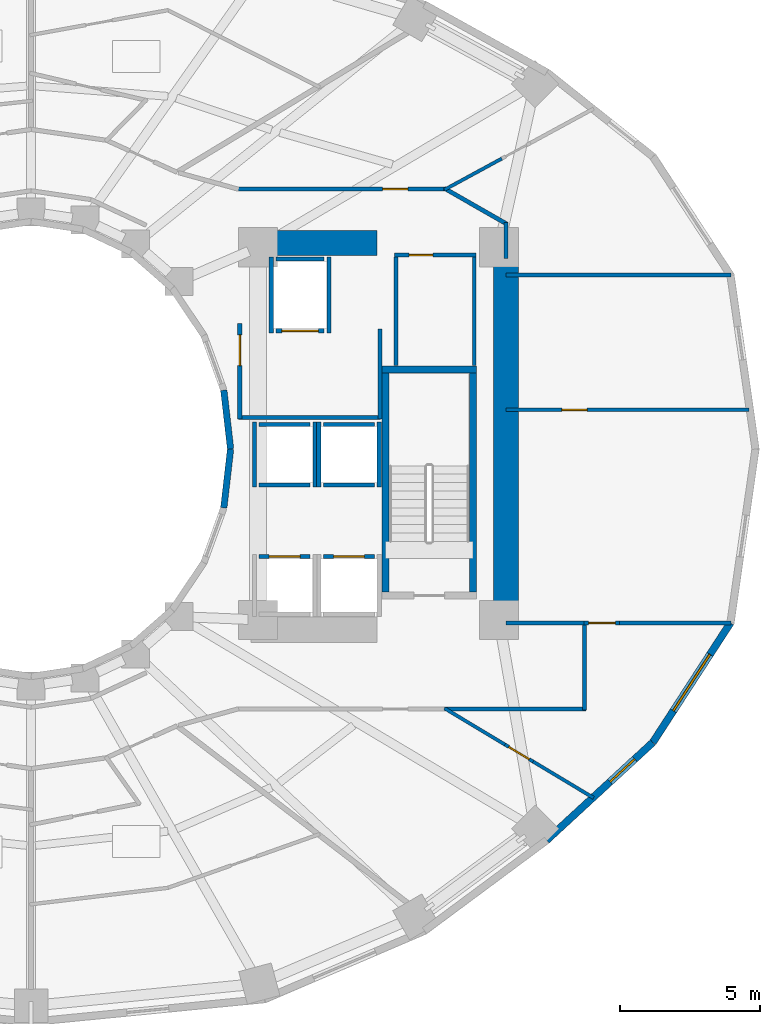
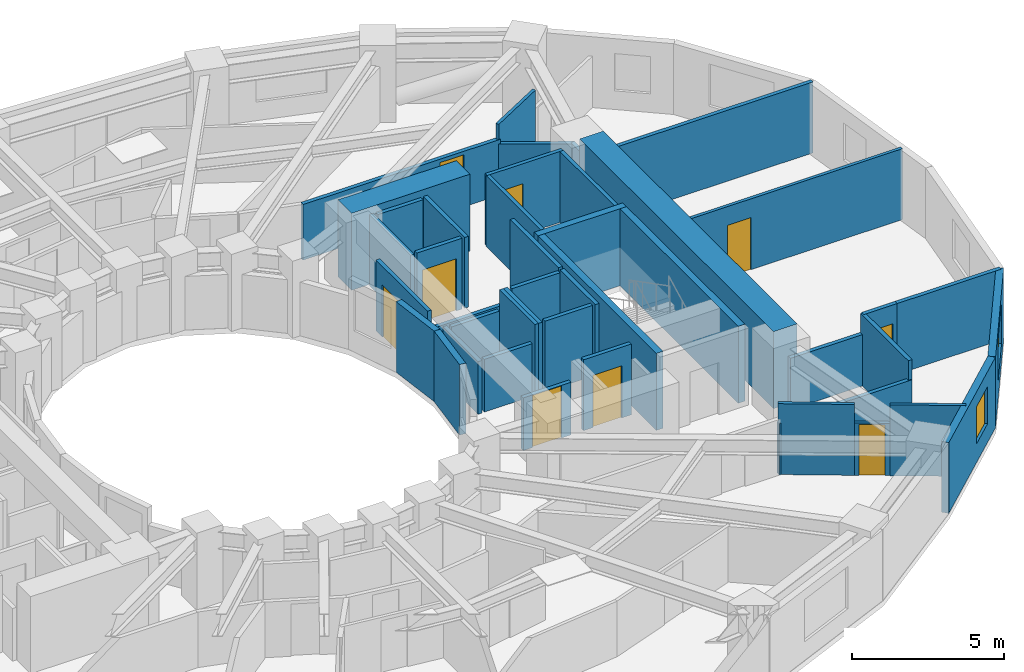
# One storey, part 6 of 10: 43 walls, 9 doors, 2 windows, 11 openings.
"""IFC4 building model written with IfcOpenShell, lengths in metres."""

from ifc_helpers import new_model, si_unit, direction, frame, frame_2d, origin, place, context, subcontext, project, spatial, rectangle, extrude, material, layer, layer_set, type_object, element, fill, save


model = new_model("IFC4")

# Units and contexts
model_context = context("Model", 3, precision=1e-05, world=origin(), true_north=direction((0.0, 1.0)))
body_context = subcontext(model_context, "Body", "Model", "MODEL_VIEW")
ifc_project = project(units=[si_unit("LENGTHUNIT", "METRE"), si_unit("AREAUNIT", "SQUARE_METRE"), si_unit("VOLUMEUNIT", "CUBIC_METRE"), si_unit("PLANEANGLEUNIT", "RADIAN"), si_unit("MASSUNIT", "GRAM", prefix="KILO")], contexts=[model_context])

# Site, building, storey
site_placement = place(None, origin())
site = spatial("IfcSite", under=ifc_project, at=site_placement, CompositionType="ELEMENT")
building_placement = place(site_placement, origin())
building = spatial("IfcBuilding", under=site, at=building_placement, Name="Solvane Sanctuary Tower", CompositionType="ELEMENT")
storey_placement = place(building_placement, frame((0.0, 0.0, 58.60009765625)))
storey = spatial("IfcBuildingStorey", under=building, at=storey_placement, Name="L17", CompositionType="ELEMENT", Elevation=58.60009765625)

# Walls
ifc_material_1 = material(Name="Concrete C70/85", Category="concrete")
ifc_layer_1 = layer(ifc_material_1, 0.89990234375, Name="Concrete C70/85")
ifc_layer_set_1 = layer_set([ifc_layer_1], Name="Concrete C70/85")
wall_type_1 = type_object("IfcWallType", Name="Wall W-CORE-900", PredefinedType="SHEAR", material=ifc_layer_set_1)
wall_1_placement = place(storey_placement, frame((48.949951171875, 17.050048828125, 0.0), z_axis=(0.0, 0.0, 1.0), x_axis=(0.0, 1.0, 0.0)))
element("IfcWall", 1, at=wall_1_placement, inside=storey, type_object=wall_type_1, Name="L17 Core Shear Wall EC-E", PredefinedType="SHEAR", context=body_context, shape_type="SweptSolid", body=[
    extrude(rectangle(XDim=12.800048828125, YDim=0.89990234375, at=frame_2d((6.39990234375, 0.0))), origin(), (0.0, 0.0, 1.0), 3.099853515625),
])
wall_2_placement = place(storey_placement, frame((39.85009765625, 30.35009765625, 0.0), z_axis=(0.0, 0.0, 1.0), x_axis=(1.0, 0.0, 0.0)))
element("IfcWall", 2, at=wall_2_placement, inside=storey, type_object=wall_type_1, Name="L17 Core Shear Wall EC-N", PredefinedType="SHEAR", context=body_context, shape_type="SweptSolid", body=[
    extrude(rectangle(XDim=4.5, YDim=0.89990234375, at=frame_2d((2.25, 0.0))), origin(), (0.0, 0.0, 1.0), 3.099853515625),
])
ifc_material_2 = material(Name="Acoustic Gypsum Partition Board")
ifc_layer_2 = layer(ifc_material_2, 0.14990234375, Name="Acoustic Gypsum Partition Board")
ifc_layer_set_2 = layer_set([ifc_layer_2], Name="Acoustic Gypsum Partition Board")
wall_type_2 = type_object("IfcWallType", Name="Wall W-CORR-150", PredefinedType="PARTITIONING", material=ifc_layer_set_2)
wall_3_placement = place(storey_placement, frame((39.39990234375, 24.1201171875, 0.0), z_axis=(0.0, 0.0, 1.0), x_axis=(1.0, 0.0, 0.0)))
element("IfcWall", 3, at=wall_3_placement, inside=storey, type_object=wall_type_2, Name="L17 East Firefighting Lobby South Wall", PredefinedType="PARTITIONING", context=body_context, shape_type="SweptSolid", body=[
    extrude(rectangle(XDim=5.080078125, YDim=0.14990234375, at=frame_2d((2.5400390625, 0.0))), origin(), (0.0, 0.0, 1.0), 2.119873046875),
])
wall_4_placement = place(storey_placement, frame((44.449951171875, 24.080078125, 0.0), z_axis=(0.0, 0.0, 1.0), x_axis=(0.0, 1.0, 0.0)))
element("IfcWall", 4, at=wall_4_placement, inside=storey, type_object=wall_type_2, Name="L17 East Firefighting Lobby East Wall", PredefinedType="PARTITIONING", context=body_context, shape_type="SweptSolid", body=[
    extrude(rectangle(XDim=3.199951171875, YDim=0.14990234375, at=frame_2d((1.60009765625, 0.0))), origin(), (0.0, 0.0, 1.0), 2.85498046875),
])

# Wall, opening, door
wall_5_placement = place(storey_placement, frame((39.449951171875, 24.080078125, 0.0), z_axis=(0.0, 0.0, 1.0), x_axis=(0.0, 1.0, 0.0)))
wall_5 = element("IfcWall", 5, at=wall_5_placement, inside=storey, type_object=wall_type_2, Name="L17 East Firefighting Lobby West Wall", PredefinedType="PARTITIONING", context=body_context, shape_type="SweptSolid", body=[
    extrude(rectangle(XDim=3.39990234375, YDim=0.14990234375, at=frame_2d((1.699951171875, 0.0))), origin(), (0.0, 0.0, 1.0), 2.85498046875),
])
opening_1_placement = place(wall_5_placement, frame((1.893798828125, 0.0, 0.0)))
opening_1 = element("IfcOpeningElement", 6, at=opening_1_placement, cuts=wall_5, Name="Opening D-L17-07", PredefinedType="OPENING", context=body_context, shape_type="SweptSolid", body=[
    extrude(rectangle(XDim=1.10009765625, YDim=2.10009765625, at=frame_2d((0.550048828125, 1.050048828125))), frame((0.0, 0.0849609375, 0.0), z_axis=(0.0, -1.0, 0.0), x_axis=(1.0, 0.0, 0.0)), (0.0, 0.0, 1.0), 0.169921875),
])
ifc_material_3 = material(Name="Architectural Stainless Steel 316", Category="steel")
door_type_1 = type_object("IfcDoorType", Name="Door D-FFL", OperationType="NOTDEFINED", PredefinedType="DOOR", material=ifc_material_3)
door_1_placement = place(opening_1_placement, origin())
door_1 = element("IfcDoor", 7, at=door_1_placement, inside=storey, type_object=door_type_1, Name="L17 East Firefighting Lobby Fire Door", OperationType="SINGLE_SWING_RIGHT", OverallHeight=2.10009765625, OverallWidth=1.10009765625, PredefinedType="DOOR", context=body_context, shape_type="SweptSolid", body=[
    extrude(rectangle(XDim=1.10009765625, YDim=2.10009765625, at=frame_2d((0.550048828125, 1.050048828125))), frame((0.0, 0.02490234375, 0.0), z_axis=(0.0, -1.0, 0.0), x_axis=(1.0, 0.0, 0.0)), (0.0, 0.0, 1.0), 0.050048828125),
])
fill(opening_1, door_1)

# Wall
wall_6_placement = place(storey_placement, frame((48.949951171875, 16.788330078125, 0.0), z_axis=(0.0, 0.0, 1.0), x_axis=(1.0, 0.0, 0.0)))
element("IfcWall", 8, at=wall_6_placement, inside=storey, type_object=wall_type_2, Name="L17 East Shoulder South Wall", PredefinedType="PARTITIONING", context=body_context, shape_type="SweptSolid", body=[
    extrude(rectangle(XDim=2.79296875, YDim=0.14990234375, at=frame_2d((1.396484375, 0.0))), origin(), (0.0, 0.0, 1.0), 2.06884765625),
])

# Wall, opening, door
wall_7_placement = place(storey_placement, frame((51.742919921875, 16.788330078125, 0.0), z_axis=(0.0, 0.0, 1.0), x_axis=(1.0, 0.0, 0.0)))
wall_7 = element("IfcWall", 9, at=wall_7_placement, inside=storey, type_object=wall_type_2, Name="L17 East Shoulder South Wall", PredefinedType="PARTITIONING", context=body_context, shape_type="SweptSolid", body=[
    extrude(rectangle(XDim=1.27001953125, YDim=0.14990234375, at=frame_2d((0.635009765625, 0.0))), origin(), (0.0, 0.0, 1.0), 2.85498046875),
])
opening_2_placement = place(wall_7_placement, frame((0.159912109375, 0.0, 0.0)))
opening_2 = element("IfcOpeningElement", 10, at=opening_2_placement, cuts=wall_7, Name="Opening D-L17-10", PredefinedType="OPENING", context=body_context, shape_type="SweptSolid", body=[
    extrude(rectangle(XDim=0.949951171875, YDim=2.10009765625, at=frame_2d((0.47509765625, 1.050048828125))), frame((0.0, 0.0849609375, 0.0), z_axis=(0.0, -1.0, 0.0), x_axis=(1.0, 0.0, 0.0)), (0.0, 0.0, 1.0), 0.169921875),
])
ifc_material_4 = material(Name="Engineered Tropical Hardwood", Category="wood")
door_type_2 = type_object("IfcDoorType", Name="Door D-ROOM-950", OperationType="NOTDEFINED", PredefinedType="DOOR", material=ifc_material_4)
door_2_placement = place(opening_2_placement, origin())
door_2 = element("IfcDoor", 11, at=door_2_placement, inside=storey, type_object=door_type_2, Name="L17 East Shoulder South Door", OperationType="SINGLE_SWING_LEFT", OverallHeight=2.10009765625, OverallWidth=0.949951171875, PredefinedType="DOOR", context=body_context, shape_type="SweptSolid", body=[
    extrude(rectangle(XDim=0.949951171875, YDim=2.10009765625, at=frame_2d((0.47509765625, 1.050048828125))), frame((0.0, 0.02490234375, 0.0), z_axis=(0.0, -1.0, 0.0), x_axis=(1.0, 0.0, 0.0)), (0.0, 0.0, 1.0), 0.050048828125),
])
fill(opening_2, door_2)

# Walls
wall_8_placement = place(storey_placement, frame((53.012939453125, 16.788330078125, 0.0), z_axis=(0.0, 0.0, 1.0), x_axis=(1.0, 0.0, 0.0)))
element("IfcWall", 12, at=wall_8_placement, inside=storey, type_object=wall_type_2, Name="L17 East Shoulder South Wall", PredefinedType="PARTITIONING", context=body_context, shape_type="SweptSolid", body=[
    extrude(rectangle(XDim=3.973388671875, YDim=0.14990234375, at=frame_2d((1.98681640625, 0.0))), origin(), (0.0, 0.0, 1.0), 2.85498046875),
])
wall_9_placement = place(storey_placement, frame((48.949951171875, 29.211669921875, 0.0), z_axis=(0.0, 0.0, 1.0), x_axis=(1.0, 0.0, 0.0)))
element("IfcWall", 13, at=wall_9_placement, inside=storey, type_object=wall_type_2, Name="L17 East Shoulder North Wall", PredefinedType="PARTITIONING", context=body_context, shape_type="SweptSolid", body=[
    extrude(rectangle(XDim=8.036376953125, YDim=0.14990234375, at=frame_2d((4.01806640625, 0.0))), origin(), (0.0, 0.0, 1.0), 2.85498046875),
])
wall_10_placement = place(storey_placement, frame((48.949951171875, 29.800048828125, 0.0), z_axis=(0.0, 0.0, 1.0), x_axis=(0.0, 1.0, 0.0)))
element("IfcWall", 14, at=wall_10_placement, inside=storey, type_object=wall_type_2, Name="L17 NE Corner Closer 1", PredefinedType="PARTITIONING", context=body_context, shape_type="SweptSolid", body=[
    extrude(rectangle(XDim=1.2900390625, YDim=0.14990234375, at=frame_2d((0.64501953125, 0.0))), origin(), (0.0, 0.0, 1.0), 2.06884765625),
])

# Wall, opening, door
wall_11_placement = place(storey_placement, frame((39.330078125, 32.280029296875, 0.0), z_axis=(0.0, 0.0, 1.0), x_axis=(1.0, 0.0, 0.0)))
wall_11 = element("IfcWall", 15, at=wall_11_placement, inside=storey, type_object=wall_type_2, Name="L17 NE Corner Corridor Wall", PredefinedType="PARTITIONING", context=body_context, shape_type="SweptSolid", body=[
    extrude(rectangle(XDim=7.52001953125, YDim=0.14990234375, at=frame_2d((3.760009765625, 0.0))), origin(), (0.0, 0.0, 1.0), 2.23681640625),
])
opening_3_placement = place(wall_11_placement, frame((5.219970703125, 0.0, 0.0)))
opening_3 = element("IfcOpeningElement", 16, at=opening_3_placement, cuts=wall_11, Name="Opening D-L17-14", PredefinedType="OPENING", context=body_context, shape_type="SweptSolid", body=[
    extrude(rectangle(XDim=0.89990234375, YDim=2.10009765625, at=frame_2d((0.449951171875, 1.050048828125))), frame((0.0, 0.0849609375, 0.0), z_axis=(0.0, -1.0, 0.0), x_axis=(1.0, 0.0, 0.0)), (0.0, 0.0, 1.0), 0.169921875),
])
door_type_3 = type_object("IfcDoorType", Name="Door D-WET-900", OperationType="NOTDEFINED", PredefinedType="DOOR", material=ifc_material_4)
door_3_placement = place(opening_3_placement, origin())
door_3 = element("IfcDoor", 17, at=door_3_placement, inside=storey, type_object=door_type_3, Name="L17 NE Corner Salon Door", OperationType="SINGLE_SWING_LEFT", OverallHeight=2.10009765625, OverallWidth=0.89990234375, PredefinedType="DOOR", context=body_context, shape_type="SweptSolid", body=[
    extrude(rectangle(XDim=0.89990234375, YDim=2.10009765625, at=frame_2d((0.449951171875, 1.050048828125))), frame((0.0, 0.02490234375, 0.0), z_axis=(0.0, -1.0, 0.0), x_axis=(1.0, 0.0, 0.0)), (0.0, 0.0, 1.0), 0.050048828125),
])
fill(opening_3, door_3)

# Walls
wall_12_placement = place(storey_placement, frame((46.756591796875, 32.3046875, 0.0), z_axis=(0.0, 0.0, 1.0), x_axis=(0.867991349648, -0.496579315857, 0.0)))
element("IfcWall", 18, at=wall_12_placement, inside=storey, type_object=wall_type_2, Name="L17 NE Corner Wing Wall", PredefinedType="PARTITIONING", context=body_context, shape_type="SweptSolid", body=[
    extrude(rectangle(XDim=2.56689453125, YDim=0.14990234375, at=frame_2d((1.283447265625, 0.0))), origin(), (0.0, 0.0, 1.0), 2.06884765625),
])
wall_13_placement = place(storey_placement, frame((51.760009765625, 13.679931640625, 0.0), z_axis=(0.0, 0.0, 1.0), x_axis=(0.0, 1.0, 0.0)))
element("IfcWall", 19, at=wall_13_placement, inside=storey, type_object=wall_type_2, Name="L17 SE Corner Closer 1", PredefinedType="PARTITIONING", context=body_context, shape_type="SweptSolid", body=[
    extrude(rectangle(XDim=3.1484375, YDim=0.14990234375, at=frame_2d((1.57421875, 0.0))), origin(), (0.0, 0.0, 1.0), 2.85498046875),
])
wall_14_placement = place(storey_placement, frame((46.75, 13.719970703125, 0.0), z_axis=(0.0, 0.0, 1.0), x_axis=(1.0, 0.0, 0.0)))
element("IfcWall", 20, at=wall_14_placement, inside=storey, type_object=wall_type_2, Name="L17 SE Corner Wing Wall", PredefinedType="PARTITIONING", context=body_context, shape_type="SweptSolid", body=[
    extrude(rectangle(XDim=5.050048828125, YDim=0.14990234375, at=frame_2d((2.52490234375, 0.0))), origin(), (0.0, 0.0, 1.0), 2.06884765625),
])

# Wall, opening, window
ifc_material_5 = material(Name="Precast concrete C40/50", Category="concrete")
ifc_layer_3 = layer(ifc_material_5, 0.260009765625, Name="Precast concrete C40/50")
ifc_layer_set_3 = layer_set([ifc_layer_3], Name="Precast concrete C40/50")
wall_type_3 = type_object("IfcWallType", Name="Wall W-EXT-250", PredefinedType="STANDARD", material=ifc_layer_set_3)
wall_15_placement = place(storey_placement, frame((50.404541015625, 9.035400390625, 0.0), z_axis=(0.0, 0.0, 1.0), x_axis=(0.735655109293, 0.67735630223, 0.0)))
wall_15 = element("IfcWall", 21, at=wall_15_placement, inside=storey, type_object=wall_type_3, Name="L17 Ceramic-Printed Facade Wall 21", PredefinedType="STANDARD", context=body_context, shape_type="SweptSolid", body=[
    extrude(rectangle(XDim=5.15087890625, YDim=0.260009765625, at=frame_2d((2.575439453125, 0.0))), origin(), (0.0, 0.0, 1.0), 2.849853515625),
])
opening_4_placement = place(wall_15_placement, frame((3.073974609375, 0.0, 0.75)))
opening_4 = element("IfcOpeningElement", 22, at=opening_4_placement, cuts=wall_15, Name="Opening WN-OPER-1200", PredefinedType="OPENING", context=body_context, shape_type="SweptSolid", body=[
    extrude(rectangle(XDim=1.199951171875, YDim=1.5, at=frame_2d((0.60009765625, 0.75))), frame((0.0, 0.139892578125, 0.0), z_axis=(0.0, -1.0, 0.0), x_axis=(1.0, 0.0, 0.0)), (0.0, 0.0, 1.0), 0.280029296875),
])
ifc_material_6 = material(Name="Dark Ceramic-Fritted Low-E Glass", Category="glass")
window_type_1 = type_object("IfcWindowType", Name="Window WN-OPER-1200", PartitioningType="SINGLE_PANEL", PredefinedType="WINDOW", material=ifc_material_6)
window_1_placement = place(opening_4_placement, origin())
window_1 = element("IfcWindow", 23, at=window_1_placement, inside=storey, type_object=window_type_1, Name="L17 Operable Facade Window 21", OverallHeight=1.5, OverallWidth=1.199951171875, PartitioningType="SINGLE_PANEL", PredefinedType="WINDOW", context=body_context, shape_type="SweptSolid", body=[
    extrude(rectangle(XDim=1.199951171875, YDim=1.5, at=frame_2d((0.60009765625, 0.75))), frame((0.0, 0.030029296875, 0.0), z_axis=(0.0, -1.0, 0.0), x_axis=(1.0, 0.0, 0.0)), (0.0, 0.0, 1.0), 0.06005859375),
])
fill(opening_4, window_1)

wall_16_placement = place(storey_placement, frame((54.19384765625, 12.5244140625, 0.0), z_axis=(0.0, 0.0, 1.0), x_axis=(0.544578722263, 0.838709732421, 0.0)))
wall_16 = element("IfcWall", 24, at=wall_16_placement, inside=storey, type_object=wall_type_3, Name="L17 Ceramic-Printed Facade Wall 22", PredefinedType="STANDARD", context=body_context, shape_type="SweptSolid", body=[
    extrude(rectangle(XDim=5.091552734375, YDim=0.260009765625, at=frame_2d((2.5458984375, 0.0))), origin(), (0.0, 0.0, 1.0), 2.849853515625),
])
opening_5_placement = place(wall_16_placement, frame((1.345703125, 0.0, 0.75)))
opening_5 = element("IfcOpeningElement", 25, at=opening_5_placement, cuts=wall_16, Name="Opening WN-RIB-2400", PredefinedType="OPENING", context=body_context, shape_type="SweptSolid", body=[
    extrude(rectangle(XDim=2.39990234375, YDim=1.699951171875, at=frame_2d((1.199951171875, 0.85009765625))), frame((0.0, 0.139892578125, 0.0), z_axis=(0.0, -1.0, 0.0), x_axis=(1.0, 0.0, 0.0)), (0.0, 0.0, 1.0), 0.280029296875),
])
window_type_2 = type_object("IfcWindowType", Name="Window WN-RIB-2400", PartitioningType="SINGLE_PANEL", PredefinedType="WINDOW", material=ifc_material_6)
window_2_placement = place(opening_5_placement, origin())
window_2 = element("IfcWindow", 26, at=window_2_placement, inside=storey, type_object=window_type_2, Name="L17 Operable Facade Window 22", OverallHeight=1.699951171875, OverallWidth=2.39990234375, PartitioningType="SINGLE_PANEL", PredefinedType="WINDOW", context=body_context, shape_type="SweptSolid", body=[
    extrude(rectangle(XDim=2.39990234375, YDim=1.699951171875, at=frame_2d((1.199951171875, 0.85009765625))), frame((0.0, 0.030029296875, 0.0), z_axis=(0.0, -1.0, 0.0), x_axis=(1.0, 0.0, 0.0)), (0.0, 0.0, 1.0), 0.06005859375),
])
fill(opening_5, window_2)

# Walls
ifc_layer_4 = layer(ifc_material_5, 0.22998046875, Name="Precast concrete C40/50")
ifc_layer_set_4 = layer_set([ifc_layer_4], Name="Precast concrete C40/50")
wall_type_4 = type_object("IfcWallType", Name="Wall W-EXT-SP220", PredefinedType="STANDARD", material=ifc_layer_set_4)
for number, where, z_axis, x_axis, name in (
    (27, (39.1201171875, 23.0, 0.0), (0.0, 0.0, 1.0), (-0.114711713601, 0.993398823617, 0.0), "L17 Central Light-Well Wall 00"),
    (28, (38.87744140625, 20.8984375, 0.0), (0.0, 0.0, 1.0), (0.114711713601, 0.993398823617, 0.0), "L17 Central Light-Well Wall 23"),
):
    element("IfcWall", number, at=place(storey_placement, frame(where, z_axis=z_axis, x_axis=x_axis)), inside=storey, type_object=wall_type_4, Name=name, PredefinedType="STANDARD", context=body_context, shape_type="SweptSolid", body=[
        extrude(rectangle(XDim=2.115478515625, YDim=0.22998046875, at=frame_2d((1.0576171875, 0.0))), origin(), (0.0, 0.0, 1.0), 2.83984375),
    ])

# Wall, opening, door
ifc_layer_5 = layer(ifc_material_2, 0.1201171875, Name="Acoustic Gypsum Partition Board")
ifc_layer_set_5 = layer_set([ifc_layer_5], Name="Acoustic Gypsum Partition Board")
wall_type_5 = type_object("IfcWallType", Name="Wall W-MOV-100", PredefinedType="MOVABLE", material=ifc_layer_set_5)
wall_17_placement = place(storey_placement, frame((48.949951171875, 24.39990234375, 0.0), z_axis=(0.0, 0.0, 1.0), x_axis=(1.0, 0.0, 0.0)))
wall_17 = element("IfcWall", 29, at=wall_17_placement, inside=storey, type_object=wall_type_5, Name="L17 East Suite Partition", PredefinedType="MOVABLE", context=body_context, shape_type="SweptSolid", body=[
    extrude(rectangle(XDim=8.668701171875, YDim=0.1201171875, at=frame_2d((4.33447265625, 0.0))), origin(), (0.0, 0.0, 1.0), 2.85498046875),
])
opening_6_placement = place(wall_17_placement, frame((2.0, 0.0, 0.0)))
opening_6 = element("IfcOpeningElement", 30, at=opening_6_placement, cuts=wall_17, Name="Opening D-L17-11", PredefinedType="OPENING", context=body_context, shape_type="SweptSolid", body=[
    extrude(rectangle(XDim=0.89990234375, YDim=2.10009765625, at=frame_2d((0.449951171875, 1.050048828125))), frame((0.0, 0.070068359375, 0.0), z_axis=(0.0, -1.0, 0.0), x_axis=(1.0, 0.0, 0.0)), (0.0, 0.0, 1.0), 0.14013671875),
])
door_4_placement = place(opening_6_placement, origin())
door_4 = element("IfcDoor", 31, at=door_4_placement, inside=storey, type_object=door_type_3, Name="L17 East Suite Internal Door", OperationType="SINGLE_SWING_RIGHT", OverallHeight=2.10009765625, OverallWidth=0.89990234375, PredefinedType="DOOR", context=body_context, shape_type="SweptSolid", body=[
    extrude(rectangle(XDim=0.89990234375, YDim=2.10009765625, at=frame_2d((0.449951171875, 1.050048828125))), frame((0.0, 0.02490234375, 0.0), z_axis=(0.0, -1.0, 0.0), x_axis=(1.0, 0.0, 0.0)), (0.0, 0.0, 1.0), 0.050048828125),
])
fill(opening_6, door_4)

# Walls
wall_18_placement = place(storey_placement, frame((46.756103515625, 32.256103515625, 0.0), z_axis=(0.0, 0.0, 1.0), x_axis=(0.878580476603, 0.477594332181, 0.0)))
element("IfcWall", 32, at=wall_18_placement, inside=storey, type_object=wall_type_5, Name="L17 NE Corner Suite Partition", PredefinedType="MOVABLE", context=body_context, shape_type="SweptSolid", body=[
    extrude(rectangle(XDim=2.326416015625, YDim=0.1201171875, at=frame_2d((1.1630859375, 0.0))), origin(), (0.0, 0.0, 1.0), 2.85498046875),
])
wall_19_placement = place(storey_placement, frame((46.757080078125, 13.745849609375, 0.0), z_axis=(0.0, 0.0, 1.0), x_axis=(0.856885623316, -0.515506574696, 0.0)))
element("IfcWall", 33, at=wall_19_placement, inside=storey, type_object=wall_type_5, Name="L17 SE Corner Suite Partition", PredefinedType="MOVABLE", context=body_context, shape_type="SweptSolid", body=[
    extrude(rectangle(XDim=2.52099609375, YDim=0.1201171875, at=frame_2d((1.260498046875, 0.0))), origin(), (0.0, 0.0, 1.0), 2.85498046875),
])

# Wall, opening, door
wall_20_placement = place(storey_placement, frame((48.917236328125, 12.4462890625, 0.0), z_axis=(0.0, 0.0, 1.0), x_axis=(0.856958544896, -0.515385343534, 0.0)))
wall_20 = element("IfcWall", 34, at=wall_20_placement, inside=storey, type_object=wall_type_5, Name="L17 SE Corner Suite Partition", PredefinedType="MOVABLE", context=body_context, shape_type="SweptSolid", body=[
    extrude(rectangle(XDim=1.170166015625, YDim=0.1201171875, at=frame_2d((0.5849609375, 0.0))), origin(), (0.0, 0.0, 1.0), 2.10986328125),
])
opening_7_placement = place(wall_20_placement, frame((0.159912109375, 0.0, 0.0)))
opening_7 = element("IfcOpeningElement", 35, at=opening_7_placement, cuts=wall_20, Name="Opening D-L17-18", PredefinedType="OPENING", context=body_context, shape_type="SweptSolid", body=[
    extrude(rectangle(XDim=0.85009765625, YDim=2.050048828125, at=frame_2d((0.425048828125, 1.02490234375))), frame((0.0, 0.070068359375, 0.0), z_axis=(0.0, -1.0, 0.0), x_axis=(1.0, 0.0, 0.0)), (0.0, 0.0, 1.0), 0.14013671875),
])
door_type_4 = type_object("IfcDoorType", Name="Door D-RISER", OperationType="NOTDEFINED", PredefinedType="DOOR", material=ifc_material_3)
door_5_placement = place(opening_7_placement, origin())
door_5 = element("IfcDoor", 36, at=door_5_placement, inside=storey, type_object=door_type_4, Name="L17 SE Corner Suite Door", OperationType="SINGLE_SWING_LEFT", OverallHeight=2.050048828125, OverallWidth=0.85009765625, PredefinedType="DOOR", context=body_context, shape_type="SweptSolid", body=[
    extrude(rectangle(XDim=0.85009765625, YDim=2.050048828125, at=frame_2d((0.425048828125, 1.02490234375))), frame((0.0, 0.02490234375, 0.0), z_axis=(0.0, -1.0, 0.0), x_axis=(1.0, 0.0, 0.0)), (0.0, 0.0, 1.0), 0.050048828125),
])
fill(opening_7, door_5)

# Wall
wall_21_placement = place(storey_placement, frame((49.919921875, 11.84326171875, 0.0), z_axis=(0.0, 0.0, 1.0), x_axis=(0.856902668222, -0.515478241243, 0.0)))
element("IfcWall", 37, at=wall_21_placement, inside=storey, type_object=wall_type_5, Name="L17 SE Corner Suite Partition", PredefinedType="MOVABLE", context=body_context, shape_type="SweptSolid", body=[
    extrude(rectangle(XDim=2.5205078125, YDim=0.1201171875, at=frame_2d((1.26025390625, 0.0))), origin(), (0.0, 0.0, 1.0), 2.85498046875),
])

# Wall, opening, door
ifc_material_7 = material(Name="Concrete C50/60", Category="concrete")
ifc_layer_6 = layer(ifc_material_7, 0.14990234375, Name="Concrete C50/60")
ifc_layer_set_6 = layer_set([ifc_layer_6], Name="Concrete C50/60")
wall_type_6 = type_object("IfcWallType", Name="Wall W-SHAFT-150", PredefinedType="SOLIDWALL", material=ifc_layer_set_6)
wall_22_placement = place(storey_placement, frame((40.139892578125, 19.159912109375, 0.0), z_axis=(0.0, 0.0, 1.0), x_axis=(1.0, 0.0, 0.0)))
wall_22 = element("IfcWall", 38, at=wall_22_placement, inside=storey, type_object=wall_type_6, Name="L17 PL-3 Lift Shaft Wall F", PredefinedType="SOLIDWALL", context=body_context, shape_type="SweptSolid", body=[
    extrude(rectangle(XDim=1.820068359375, YDim=0.14990234375, at=frame_2d((0.91015625, 0.0))), origin(), (0.0, 0.0, 1.0), 2.119873046875),
])
opening_8_placement = place(wall_22_placement, frame((0.360107421875, 0.0, 0.0)))
opening_8 = element("IfcOpeningElement", 39, at=opening_8_placement, cuts=wall_22, Name="Opening LD-L17-03", PredefinedType="OPENING", context=body_context, shape_type="SweptSolid", body=[
    extrude(rectangle(XDim=1.10009765625, YDim=2.10009765625, at=frame_2d((0.550048828125, 1.050048828125))), frame((0.0, 0.0849609375, 0.0), z_axis=(0.0, -1.0, 0.0), x_axis=(1.0, 0.0, 0.0)), (0.0, 0.0, 1.0), 0.169921875),
])
door_type_5 = type_object("IfcDoorType", Name="Door LD-PASS-1100", OperationType="NOTDEFINED", PredefinedType="DOOR", material=ifc_material_3)
door_6_placement = place(opening_8_placement, origin())
door_6 = element("IfcDoor", 40, at=door_6_placement, inside=storey, type_object=door_type_5, Name="L17 PL-3 Lift Landing Door", OperationType="DOUBLE_DOOR_SLIDING", OverallHeight=2.10009765625, OverallWidth=1.10009765625, PredefinedType="DOOR", context=body_context, shape_type="SweptSolid", body=[
    extrude(rectangle(XDim=1.10009765625, YDim=2.10009765625, at=frame_2d((0.550048828125, 1.050048828125))), frame((0.0, 0.02490234375, 0.0), z_axis=(0.0, -1.0, 0.0), x_axis=(1.0, 0.0, 0.0)), (0.0, 0.0, 1.0), 0.050048828125),
])
fill(opening_8, door_6)

wall_23_placement = place(storey_placement, frame((42.43994140625, 19.159912109375, 0.0), z_axis=(0.0, 0.0, 1.0), x_axis=(1.0, 0.0, 0.0)))
wall_23 = element("IfcWall", 41, at=wall_23_placement, inside=storey, type_object=wall_type_6, Name="L17 PL-4 Lift Shaft Wall F", PredefinedType="SOLIDWALL", context=body_context, shape_type="SweptSolid", body=[
    extrude(rectangle(XDim=1.820068359375, YDim=0.14990234375, at=frame_2d((0.91015625, 0.0))), origin(), (0.0, 0.0, 1.0), 2.85498046875),
])
opening_9_placement = place(wall_23_placement, frame((0.360107421875, 0.0, 0.0)))
opening_9 = element("IfcOpeningElement", 42, at=opening_9_placement, cuts=wall_23, Name="Opening LD-L17-04", PredefinedType="OPENING", context=body_context, shape_type="SweptSolid", body=[
    extrude(rectangle(XDim=1.10009765625, YDim=2.10009765625, at=frame_2d((0.550048828125, 1.050048828125))), frame((0.0, 0.0849609375, 0.0), z_axis=(0.0, -1.0, 0.0), x_axis=(1.0, 0.0, 0.0)), (0.0, 0.0, 1.0), 0.169921875),
])
door_7_placement = place(opening_9_placement, origin())
door_7 = element("IfcDoor", 43, at=door_7_placement, inside=storey, type_object=door_type_5, Name="L17 PL-4 Lift Landing Door", OperationType="DOUBLE_DOOR_SLIDING", OverallHeight=2.10009765625, OverallWidth=1.10009765625, PredefinedType="DOOR", context=body_context, shape_type="SweptSolid", body=[
    extrude(rectangle(XDim=1.10009765625, YDim=2.10009765625, at=frame_2d((0.550048828125, 1.050048828125))), frame((0.0, 0.02490234375, 0.0), z_axis=(0.0, -1.0, 0.0), x_axis=(1.0, 0.0, 0.0)), (0.0, 0.0, 1.0), 0.050048828125),
])
fill(opening_9, door_7)

# Walls
for number, where, z_axis, x_axis, name in (
    (44, (42.43994140625, 21.719970703125, 0.0), (0.0, 0.0, 1.0), (1.0, 0.0, 0.0), "L17 PM-2 Lift Shaft Wall F"),
    (45, (42.43994140625, 23.8798828125, 0.0), (0.0, 0.0, 1.0), (1.0, 0.0, 0.0), "L17 PM-2 Lift Shaft Wall B"),
):
    element("IfcWall", number, at=place(storey_placement, frame(where, z_axis=z_axis, x_axis=x_axis)), inside=storey, type_object=wall_type_6, Name=name, PredefinedType="SOLIDWALL", context=body_context, shape_type="SweptSolid", body=[
        extrude(rectangle(XDim=1.820068359375, YDim=0.14990234375, at=frame_2d((0.91015625, 0.0))), origin(), (0.0, 0.0, 1.0), 2.85498046875),
    ])
for number, where, z_axis, x_axis, name in (
    (46, (42.27001953125, 21.639892578125, 0.0), (0.0, 0.0, 1.0), (0.0, 1.0, 0.0), "L17 PM-2 Lift Shaft Wall S1"),
    (47, (44.429931640625, 21.639892578125, 0.0), (0.0, 0.0, 1.0), (0.0, 1.0, 0.0), "L17 PM-2 Lift Shaft Wall S2"),
):
    element("IfcWall", number, at=place(storey_placement, frame(where, z_axis=z_axis, x_axis=x_axis)), inside=storey, type_object=wall_type_6, Name=name, PredefinedType="SOLIDWALL", context=body_context, shape_type="SweptSolid", body=[
        extrude(rectangle(XDim=2.320068359375, YDim=0.14990234375, at=frame_2d((1.16015625, 0.0))), origin(), (0.0, 0.0, 1.0), 2.85498046875),
    ])
for number, where, z_axis, x_axis, name in (
    (48, (40.139892578125, 21.719970703125, 0.0), (0.0, 0.0, 1.0), (1.0, 0.0, 0.0), "L17 PH-2 Lift Shaft Wall F"),
    (49, (40.139892578125, 23.8798828125, 0.0), (0.0, 0.0, 1.0), (1.0, 0.0, 0.0), "L17 PH-2 Lift Shaft Wall B"),
):
    element("IfcWall", number, at=place(storey_placement, frame(where, z_axis=z_axis, x_axis=x_axis)), inside=storey, type_object=wall_type_6, Name=name, PredefinedType="SOLIDWALL", context=body_context, shape_type="SweptSolid", body=[
        extrude(rectangle(XDim=1.820068359375, YDim=0.14990234375, at=frame_2d((0.91015625, 0.0))), origin(), (0.0, 0.0, 1.0), 2.119873046875),
    ])
wall_24_placement = place(storey_placement, frame((39.969970703125, 21.639892578125, 0.0), z_axis=(0.0, 0.0, 1.0), x_axis=(0.0, 1.0, 0.0)))
element("IfcWall", 50, at=wall_24_placement, inside=storey, type_object=wall_type_6, Name="L17 PH-2 Lift Shaft Wall S1", PredefinedType="SOLIDWALL", context=body_context, shape_type="SweptSolid", body=[
    extrude(rectangle(XDim=2.320068359375, YDim=0.14990234375, at=frame_2d((1.16015625, 0.0))), origin(), (0.0, 0.0, 1.0), 2.119873046875),
])
wall_25_placement = place(storey_placement, frame((42.1298828125, 21.639892578125, 0.0), z_axis=(0.0, 0.0, 1.0), x_axis=(0.0, 1.0, 0.0)))
element("IfcWall", 51, at=wall_25_placement, inside=storey, type_object=wall_type_6, Name="L17 PH-2 Lift Shaft Wall S2", PredefinedType="SOLIDWALL", context=body_context, shape_type="SweptSolid", body=[
    extrude(rectangle(XDim=2.320068359375, YDim=0.14990234375, at=frame_2d((1.16015625, 0.0))), origin(), (0.0, 0.0, 1.0), 2.85498046875),
])

# Wall, opening, door
wall_26_placement = place(storey_placement, frame((40.739990234375, 27.219970703125, 0.0), z_axis=(0.0, 0.0, 1.0), x_axis=(1.0, 0.0, 0.0)))
wall_26 = element("IfcWall", 52, at=wall_26_placement, inside=storey, type_object=wall_type_6, Name="L17 FFL-2 Lift Shaft Wall F", PredefinedType="SOLIDWALL", context=body_context, shape_type="SweptSolid", body=[
    extrude(rectangle(XDim=1.719970703125, YDim=0.14990234375, at=frame_2d((0.85986328125, 0.0))), origin(), (0.0, 0.0, 1.0), 2.85498046875),
])
opening_10_placement = place(wall_26_placement, frame((0.2099609375, 0.0, 0.0)))
opening_10 = element("IfcOpeningElement", 53, at=opening_10_placement, cuts=wall_26, Name="Opening LD-L17-07", PredefinedType="OPENING", context=body_context, shape_type="SweptSolid", body=[
    extrude(rectangle(XDim=1.300048828125, YDim=2.10009765625, at=frame_2d((0.64990234375, 1.050048828125))), frame((0.0, 0.0849609375, 0.0), z_axis=(0.0, -1.0, 0.0), x_axis=(1.0, 0.0, 0.0)), (0.0, 0.0, 1.0), 0.169921875),
])
door_type_6 = type_object("IfcDoorType", Name="Door LD-FFL-1300", OperationType="NOTDEFINED", PredefinedType="DOOR", material=ifc_material_3)
door_8_placement = place(opening_10_placement, origin())
door_8 = element("IfcDoor", 54, at=door_8_placement, inside=storey, type_object=door_type_6, Name="L17 FFL-2 Lift Landing Door", OperationType="DOUBLE_DOOR_SLIDING", OverallHeight=2.10009765625, OverallWidth=1.300048828125, PredefinedType="DOOR", context=body_context, shape_type="SweptSolid", body=[
    extrude(rectangle(XDim=1.300048828125, YDim=2.10009765625, at=frame_2d((0.64990234375, 1.050048828125))), frame((0.0, 0.02490234375, 0.0), z_axis=(0.0, -1.0, 0.0), x_axis=(1.0, 0.0, 0.0)), (0.0, 0.0, 1.0), 0.050048828125),
])
fill(opening_10, door_8)

# Walls
wall_27_placement = place(storey_placement, frame((40.739990234375, 29.780029296875, 0.0), z_axis=(0.0, 0.0, 1.0), x_axis=(1.0, 0.0, 0.0)))
element("IfcWall", 55, at=wall_27_placement, inside=storey, type_object=wall_type_6, Name="L17 FFL-2 Lift Shaft Wall B", PredefinedType="SOLIDWALL", context=body_context, shape_type="SweptSolid", body=[
    extrude(rectangle(XDim=1.719970703125, YDim=0.14990234375, at=frame_2d((0.85986328125, 0.0))), origin(), (0.0, 0.0, 1.0), 2.85498046875),
])
for number, where, z_axis, x_axis, name in (
    (56, (40.570068359375, 27.139892578125, 0.0), (0.0, 0.0, 1.0), (0.0, 1.0, 0.0), "L17 FFL-2 Lift Shaft Wall S1"),
    (57, (42.6298828125, 27.139892578125, 0.0), (0.0, 0.0, 1.0), (0.0, 1.0, 0.0), "L17 FFL-2 Lift Shaft Wall S2"),
):
    element("IfcWall", number, at=place(storey_placement, frame(where, z_axis=z_axis, x_axis=x_axis)), inside=storey, type_object=wall_type_6, Name=name, PredefinedType="SOLIDWALL", context=body_context, shape_type="SweptSolid", body=[
        extrude(rectangle(XDim=2.72021484375, YDim=0.14990234375, at=frame_2d((1.360107421875, 0.0))), origin(), (0.0, 0.0, 1.0), 2.85498046875),
    ])
ifc_layer_7 = layer(ifc_material_7, 0.25, Name="Concrete C50/60")
ifc_layer_set_7 = layer_set([ifc_layer_7], Name="Concrete C50/60")
wall_type_7 = type_object("IfcWallType", Name="Wall W-SHAFT-250", PredefinedType="SOLIDWALL", material=ifc_layer_set_7)
wall_28_placement = place(storey_placement, frame((44.52490234375, 25.830078125, 0.0), z_axis=(0.0, 0.0, 1.0), x_axis=(1.0, 0.0, 0.0)))
element("IfcWall", 58, at=wall_28_placement, inside=storey, type_object=wall_type_7, Name="L17 ST-2 Load-Bearing Shaft Wall N", PredefinedType="SOLIDWALL", context=body_context, shape_type="SweptSolid", body=[
    extrude(rectangle(XDim=3.3701171875, YDim=0.25, at=frame_2d((1.68505859375, 0.0))), origin(), (0.0, 0.0, 1.0), 3.099853515625),
])
for number, where, z_axis, x_axis, name in (
    (59, (44.64990234375, 17.89501953125, 0.0), (0.0, 0.0, 1.0), (0.0, 1.0, 0.0), "L17 ST-2 Load-Bearing Shaft Wall W"),
    (60, (47.77001953125, 17.89501953125, 0.0), (0.0, 0.0, 1.0), (0.0, 1.0, 0.0), "L17 ST-2 Load-Bearing Shaft Wall E"),
):
    element("IfcWall", number, at=place(storey_placement, frame(where, z_axis=z_axis, x_axis=x_axis)), inside=storey, type_object=wall_type_7, Name=name, PredefinedType="SOLIDWALL", context=body_context, shape_type="SweptSolid", body=[
        extrude(rectangle(XDim=7.81005859375, YDim=0.25, at=frame_2d((3.905029296875, 0.0))), origin(), (0.0, 0.0, 1.0), 3.099853515625),
    ])

# Wall, opening, door
ifc_layer_8 = layer(ifc_material_2, 0.139892578125, Name="Acoustic Gypsum Partition Board")
ifc_layer_set_8 = layer_set([ifc_layer_8], Name="Acoustic Gypsum Partition Board")
wall_type_8 = type_object("IfcWallType", Name="Wall W-WET-140", PredefinedType="PLUMBINGWALL", material=ifc_layer_set_8)
wall_29_placement = place(storey_placement, frame((44.97998046875, 29.919921875, 0.0), z_axis=(0.0, 0.0, 1.0), x_axis=(1.0, 0.0, 0.0)))
wall_29 = element("IfcWall", 61, at=wall_29_placement, inside=storey, type_object=wall_type_8, Name="L17 Core Service Front Wall KE0", PredefinedType="PLUMBINGWALL", context=body_context, shape_type="SweptSolid", body=[
    extrude(rectangle(XDim=2.89990234375, YDim=0.139892578125, at=frame_2d((1.449951171875, 0.0))), origin(), (0.0, 0.0, 1.0), 2.85498046875),
])
opening_11_placement = place(wall_29_placement, frame((0.515869140625, 0.0, 0.0)))
opening_11 = element("IfcOpeningElement", 62, at=opening_11_placement, cuts=wall_29, Name="Opening D-L17-09", PredefinedType="OPENING", context=body_context, shape_type="SweptSolid", body=[
    extrude(rectangle(XDim=0.85009765625, YDim=2.050048828125, at=frame_2d((0.425048828125, 1.02490234375))), frame((0.0, 0.079833984375, 0.0), z_axis=(0.0, -1.0, 0.0), x_axis=(1.0, 0.0, 0.0)), (0.0, 0.0, 1.0), 0.159912109375),
])
door_9_placement = place(opening_11_placement, origin())
door_9 = element("IfcDoor", 63, at=door_9_placement, inside=storey, type_object=door_type_4, Name="L17 Core Service Room Door KE0-1", OperationType="SINGLE_SWING_RIGHT", OverallHeight=2.050048828125, OverallWidth=0.85009765625, PredefinedType="DOOR", context=body_context, shape_type="SweptSolid", body=[
    extrude(rectangle(XDim=0.85009765625, YDim=2.050048828125, at=frame_2d((0.425048828125, 1.02490234375))), frame((0.0, 0.02490234375, 0.0), z_axis=(0.0, -1.0, 0.0), x_axis=(1.0, 0.0, 0.0)), (0.0, 0.0, 1.0), 0.050048828125),
])
fill(opening_11, door_9)

# Walls
for number, where, z_axis, x_axis, name in (
    (64, (45.02001953125, 25.97998046875, 0.0), (0.0, 0.0, 1.0), (0.0, 1.0, 0.0), "L17 Core Service Side Wall KE0-1"),
    (65, (47.820068359375, 25.97998046875, 0.0), (0.0, 0.0, 1.0), (0.0, 1.0, 0.0), "L17 Core Service Side Wall KE0-2"),
):
    element("IfcWall", number, at=place(storey_placement, frame(where, z_axis=z_axis, x_axis=x_axis)), inside=storey, type_object=wall_type_8, Name=name, PredefinedType="PLUMBINGWALL", context=body_context, shape_type="SweptSolid", body=[
        extrude(rectangle(XDim=3.880126953125, YDim=0.139892578125, at=frame_2d((1.93994140625, 0.0))), origin(), (0.0, 0.0, 1.0), 2.85498046875),
    ])

save(model, "model.ifc")
